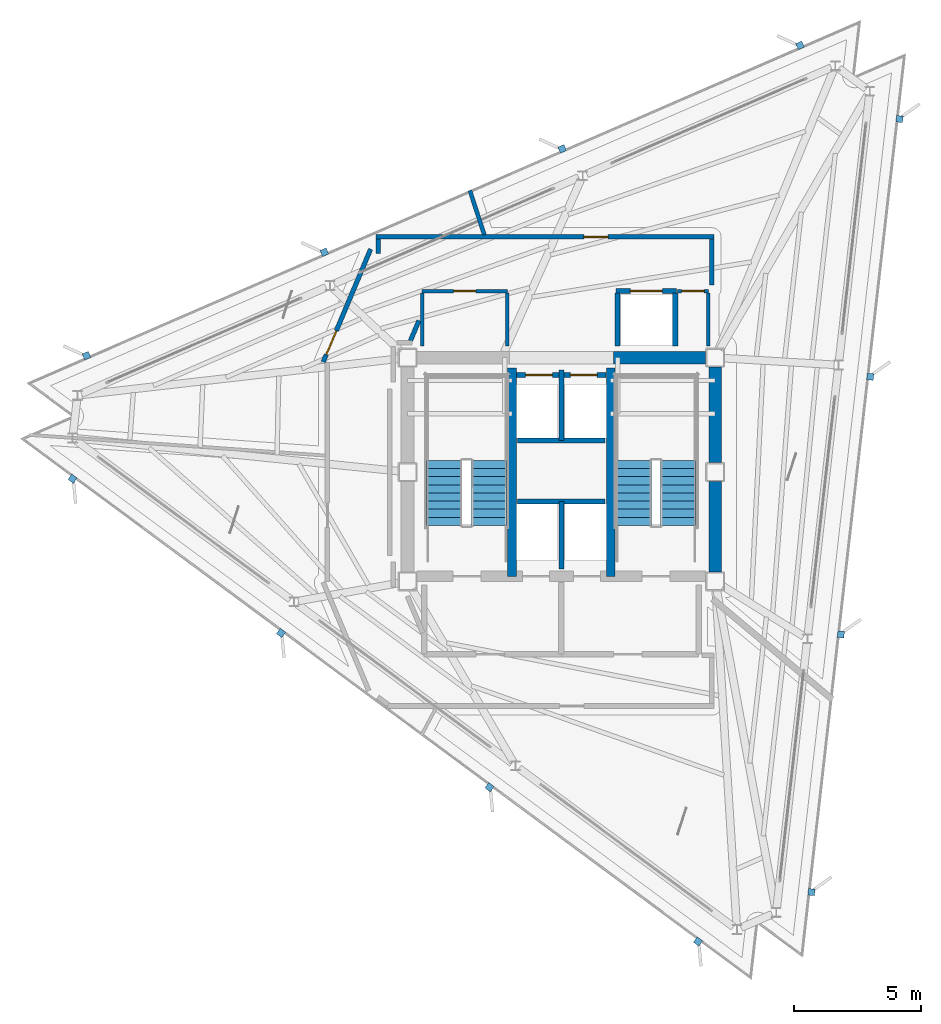
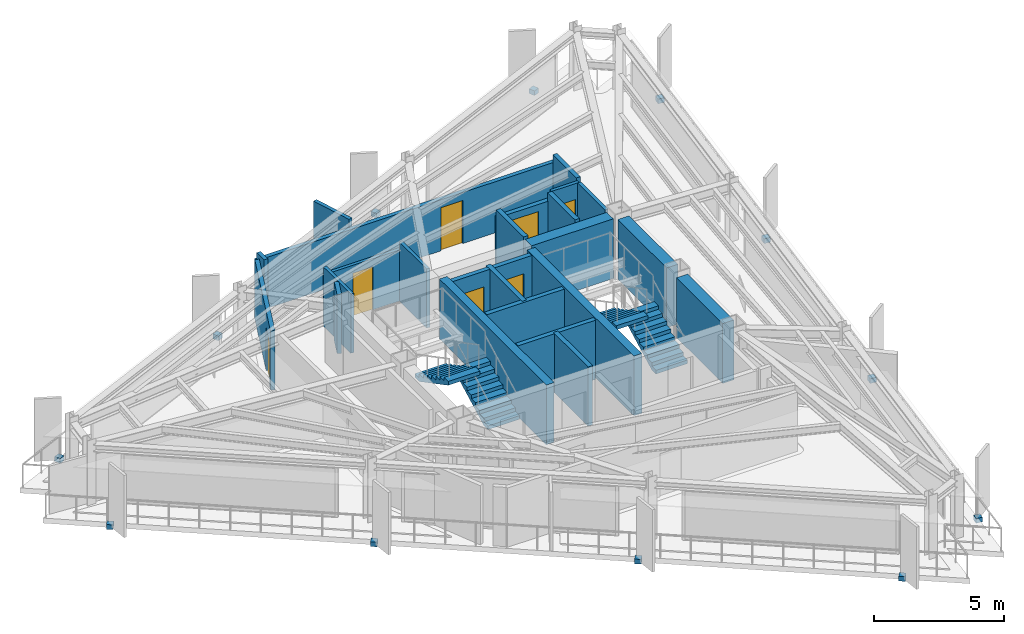
# One storey, part 6 of 9: 24 walls, 12 discrete accessories, 7 doors, 4 stair flights, 7 openings, 2 elements without a shape of their own.
"""IFC4 building model written with IfcOpenShell, lengths in metres."""

from ifc_helpers import new_model, si_unit, direction, frame, frame_2d, origin, origin_2d, place, context, subcontext, project, spatial, polyline, rectangle, outline, extrude, material, layer, layer_set, type_object, element, fill, aggregate, save


model = new_model("IFC4")

# Units and contexts
model_context = context("Model", 3, precision=1e-05, world=origin(), true_north=direction((0.0, 1.0)))
body_context = subcontext(model_context, "Body", "Model", "MODEL_VIEW")
ifc_project = project(units=[si_unit("LENGTHUNIT", "METRE"), si_unit("AREAUNIT", "SQUARE_METRE"), si_unit("VOLUMEUNIT", "CUBIC_METRE"), si_unit("PLANEANGLEUNIT", "RADIAN"), si_unit("MASSUNIT", "GRAM", prefix="KILO")], contexts=[model_context])

# Site, building, storey
site_placement = place(None, origin())
site = spatial("IfcSite", under=ifc_project, at=site_placement, CompositionType="ELEMENT")
building_placement = place(site_placement, origin())
building = spatial("IfcBuilding", under=site, at=building_placement, Name="Rocaltana Carrier Exchange", CompositionType="ELEMENT")
storey_placement = place(building_placement, frame((0.0, 0.0, 233.1201171875)))
storey = spatial("IfcBuildingStorey", under=building, at=storey_placement, Name="L74", CompositionType="ELEMENT", Elevation=233.1201171875)

# Walls
ifc_material_1 = material(Name="Double Acoustic Gypsum Partition", Category="gypsum")
ifc_layer_1 = layer(ifc_material_1, 0.159912109375)
ifc_layer_set_1 = layer_set([ifc_layer_1], Name="Double Acoustic Gypsum Partition")
wall_type_1 = type_object("IfcWallType", Name="Acoustic Studio Partition 160 EI60", PredefinedType="PARTITIONING", material=ifc_layer_set_1)
wall_1_placement = place(storey_placement, frame((-3.031494140625, 9.330078125, 0.0), z_axis=(0.0, 0.0, 1.0), x_axis=(-0.309047032626, 0.951046755751, 0.0)))
element("IfcWall", 1, at=wall_1_placement, inside=storey, type_object=wall_type_1, Name="L74 Suite Divider Wall D3", PredefinedType="PARTITIONING", context=body_context, shape_type="SweptSolid", body=[
    extrude(rectangle(XDim=1.83837890625, YDim=0.159912109375, at=frame_2d((0.919189453125, 0.0))), origin(), (0.0, 0.0, 1.0), 2.77294921875),
])
ifc_material_2 = material(Name="Concrete C50/60", Category="concrete")
ifc_layer_2 = layer(ifc_material_2, 0.35009765625)
ifc_layer_set_2 = layer_set([ifc_layer_2], Name="Concrete C50/60")
wall_type_2 = type_object("IfcWallType", Name="Core Internal Shear Wall 350", PredefinedType="SHEAR", material=ifc_layer_set_2)
for number, where, z_axis, x_axis, name in (
    (2, (-1.93994140625, -4.10009765625, 0.0), (0.0, 0.0, 1.0), (0.0, 1.0, 0.0), "L74 Core Shear Wall CW-STW"),
    (3, (1.93994140625, -4.10009765625, 0.0), (0.0, 0.0, 1.0), (0.0, 1.0, 0.0), "L74 Core Shear Wall CW-STE"),
):
    element("IfcWall", number, at=place(storey_placement, frame(where, z_axis=z_axis, x_axis=x_axis)), inside=storey, type_object=wall_type_2, Name=name, PredefinedType="SHEAR", context=body_context, shape_type="SweptSolid", body=[
        extrude(rectangle(XDim=8.2001953125, YDim=0.35009765625, at=frame_2d((4.10009765625, 0.0))), origin(), (0.0, 0.0, 1.0), 2.7978515625),
    ])
ifc_material_3 = material(Name="Concrete C50/60", Category="concrete")
ifc_layer_3 = layer(ifc_material_3, 0.5)
ifc_layer_set_3 = layer_set([ifc_layer_3], Name="Concrete C50/60")
wall_type_3 = type_object("IfcWallType", Name="Core Shear Wall 500", PredefinedType="SHEAR", material=ifc_layer_set_3)
wall_2_placement = place(storey_placement, frame((6.050048828125, 0.375, 0.0), z_axis=(0.0, 0.0, 1.0), x_axis=(0.0, 1.0, 0.0)))
element("IfcWall", 4, at=wall_2_placement, inside=storey, type_object=wall_type_3, Name="L74 Core Shear Wall CW-EN", PredefinedType="SHEAR", context=body_context, shape_type="SweptSolid", body=[
    extrude(rectangle(XDim=3.75, YDim=0.5, at=frame_2d((1.875, 0.0))), origin(), (0.0, 0.0, 1.0), 2.7978515625),
])
wall_3_placement = place(storey_placement, frame((6.050048828125, -3.925048828125, 0.0), z_axis=(0.0, 0.0, 1.0), x_axis=(0.0, 1.0, 0.0)))
element("IfcWall", 5, at=wall_3_placement, inside=storey, type_object=wall_type_3, Name="L74 Core Shear Wall CW-ES", PredefinedType="SHEAR", context=body_context, shape_type="SweptSolid", body=[
    extrude(rectangle(XDim=3.550048828125, YDim=0.5, at=frame_2d((1.77490234375, 0.0))), origin(), (0.0, 0.0, 1.0), 2.7978515625),
])
wall_4_placement = place(storey_placement, frame((2.050048828125, 4.5, 0.0), z_axis=(0.0, 0.0, 1.0), x_axis=(1.0, 0.0, 0.0)))
element("IfcWall", 6, at=wall_4_placement, inside=storey, type_object=wall_type_3, Name="L74 Core Shear Wall CW-N2", PredefinedType="SHEAR", context=body_context, shape_type="SweptSolid", body=[
    extrude(rectangle(XDim=3.625, YDim=0.5, at=frame_2d((1.8125, 0.0))), origin(), (0.0, 0.0, 1.0), 2.7978515625),
])

# Wall, opening, door
ifc_material_4 = material(Name="Gypsum & Steel Stud Partition", Category="steel")
ifc_layer_4 = layer(ifc_material_4, 0.179931640625)
ifc_layer_set_4 = layer_set([ifc_layer_4], Name="Gypsum & Steel Stud Partition")
wall_type_4 = type_object("IfcWallType", Name="Corridor Fire Partition 180 EI60", PredefinedType="PARTITIONING", material=ifc_layer_set_4)
wall_5_placement = place(storey_placement, frame((-9.36669921875, 4.331787109375, 0.0), z_axis=(0.0, 0.0, 1.0), x_axis=(0.387573945081, 0.921838617706, 0.0)))
wall_5 = element("IfcWall", 7, at=wall_5_placement, inside=storey, type_object=wall_type_4, Name="L74 Corridor Partition 3", PredefinedType="PARTITIONING", context=body_context, shape_type="SweptSolid", body=[
    extrude(rectangle(XDim=4.813232421875, YDim=0.179931640625, at=frame_2d((2.40673828125, 0.0))), origin(), (0.0, 0.0, 1.0), 2.77294921875),
])
opening_1_placement = place(wall_5_placement, frame((0.307373046875, 0.0, 0.0)))
opening_1 = element("IfcOpeningElement", 8, at=opening_1_placement, cuts=wall_5, Name="Opening D-LB104", PredefinedType="OPENING", context=body_context, shape_type="SweptSolid", body=[
    extrude(rectangle(XDim=1.02001953125, YDim=2.02001953125, at=frame_2d((0.510009765625, 1.010009765625))), frame((0.0, 0.099853515625, 0.0), z_axis=(0.0, -1.0, 0.0), x_axis=(1.0, 0.0, 0.0)), (0.0, 0.0, 1.0), 0.199951171875),
])
ifc_material_5 = material(Name="Powder-Coated Aluminium 6063-T6", Category="aluminium")
door_type_1 = type_object("IfcDoorType", Name="Laboratory Acoustic Door 1020x2020", OperationType="NOTDEFINED", PredefinedType="DOOR", material=ifc_material_5)
door_1_placement = place(opening_1_placement, origin())
door_1 = element("IfcDoor", 9, at=door_1_placement, inside=storey, type_object=door_type_1, Name="L74 Optical Switching Laboratory Entrance Door", OperationType="SINGLE_SWING_RIGHT", OverallHeight=2.02001953125, OverallWidth=1.02001953125, PredefinedType="DOOR", context=body_context, shape_type="SweptSolid", body=[
    extrude(rectangle(XDim=1.02001953125, YDim=2.02001953125, at=frame_2d((0.510009765625, 1.010009765625))), frame((0.0, 0.02490234375, 0.0), z_axis=(0.0, -1.0, 0.0), x_axis=(1.0, 0.0, 0.0)), (0.0, 0.0, 1.0), 0.050048828125),
])
fill(opening_1, door_1)

# Wall
wall_6_placement = place(storey_placement, frame((-7.199951171875, 8.6005859375, 0.0), z_axis=(0.0, 0.0, 1.0), x_axis=(0.0, 1.0, 0.0)))
element("IfcWall", 10, at=wall_6_placement, inside=storey, type_object=wall_type_4, Name="L74 Corridor Partition 4", PredefinedType="PARTITIONING", context=body_context, shape_type="SweptSolid", body=[
    extrude(rectangle(XDim=0.559326171875, YDim=0.179931640625, at=frame_2d((0.27978515625, 0.0))), origin(), (0.0, 0.0, 1.0), 2.77294921875),
])

# Wall, opening, door
wall_7_placement = place(storey_placement, frame((-7.2900390625, 9.25, 0.0), z_axis=(0.0, 0.0, 1.0), x_axis=(1.0, 0.0, 0.0)))
wall_7 = element("IfcWall", 11, at=wall_7_placement, inside=storey, type_object=wall_type_4, Name="L74 Corridor Partition 5", PredefinedType="PARTITIONING", context=body_context, shape_type="SweptSolid", body=[
    extrude(rectangle(XDim=13.300048828125, YDim=0.179931640625, at=frame_2d((6.64990234375, 0.0))), origin(), (0.0, 0.0, 1.0), 2.394775390625),
])
opening_2_placement = place(wall_7_placement, frame((8.17041015625, 0.0, 0.0)))
opening_2 = element("IfcOpeningElement", 12, at=opening_2_placement, cuts=wall_7, Name="Opening D-RM098", PredefinedType="OPENING", context=body_context, shape_type="SweptSolid", body=[
    extrude(rectangle(XDim=0.9599609375, YDim=2.02001953125, at=frame_2d((0.47998046875, 1.010009765625))), frame((0.0, 0.099853515625, 0.0), z_axis=(0.0, -1.0, 0.0), x_axis=(1.0, 0.0, 0.0)), (0.0, 0.0, 1.0), 0.199951171875),
])
ifc_material_6 = material(Name="Engineered Hardwood Timber", Category="wood")
door_type_2 = type_object("IfcDoorType", Name="Workspace Single Door 960x2020", OperationType="NOTDEFINED", PredefinedType="DOOR", material=ifc_material_6)
door_2_placement = place(opening_2_placement, origin())
door_2 = element("IfcDoor", 13, at=door_2_placement, inside=storey, type_object=door_type_2, Name="L74 Cloud Architecture Office Entrance Door", OperationType="SINGLE_SWING_LEFT", OverallHeight=2.02001953125, OverallWidth=0.9599609375, PredefinedType="DOOR", context=body_context, shape_type="SweptSolid", body=[
    extrude(rectangle(XDim=0.9599609375, YDim=2.02001953125, at=frame_2d((0.47998046875, 1.010009765625))), frame((0.0, 0.02490234375, 0.0), z_axis=(0.0, -1.0, 0.0), x_axis=(1.0, 0.0, 0.0)), (0.0, 0.0, 1.0), 0.050048828125),
])
fill(opening_2, door_2)

# Walls
wall_8_placement = place(storey_placement, frame((5.919921875, 9.159912109375, 0.0), z_axis=(0.0, 0.0, 1.0), x_axis=(0.0, -1.0, 0.0)))
element("IfcWall", 14, at=wall_8_placement, inside=storey, type_object=wall_type_4, Name="L74 Corridor Partition 6", PredefinedType="PARTITIONING", context=body_context, shape_type="SweptSolid", body=[
    extrude(rectangle(XDim=1.7998046875, YDim=0.179931640625, at=frame_2d((0.89990234375, 0.0))), origin(), (0.0, 0.0, 1.0), 2.77294921875),
])
wall_9_placement = place(storey_placement, frame((-5.602294921875, 5.9580078125, 0.0), z_axis=(0.0, 0.0, 1.0), x_axis=(-0.387588639363, -0.921832439566, 0.0)))
element("IfcWall", 15, at=wall_9_placement, inside=storey, type_object=wall_type_4, Name="L74 Corridor Partition 8", PredefinedType="PARTITIONING", context=body_context, shape_type="SweptSolid", body=[
    extrude(rectangle(XDim=0.8623046875, YDim=0.179931640625, at=frame_2d((0.43115234375, 0.0))), origin(), (0.0, 0.0, 1.0), 2.77294921875),
])
ifc_material_7 = material(Name="Reinforced Concrete Block C35/45", Category="concrete")
ifc_layer_5 = layer(ifc_material_7, 0.199951171875)
ifc_layer_set_5 = layer_set([ifc_layer_5], Name="Reinforced Concrete Block C35/45")
wall_type_5 = type_object("IfcWallType", Name="Lift Hoistway Enclosure Wall 200 EI120", PredefinedType="PARTITIONING", material=ifc_layer_set_5)
wall_10_placement = place(storey_placement, frame((0.0, -3.820068359375, 0.0), z_axis=(0.0, 0.0, 1.0), x_axis=(0.0, 1.0, 0.0)))
element("IfcWall", 16, at=wall_10_placement, inside=storey, type_object=wall_type_5, Name="L74 FFL Shaft Divider", PredefinedType="PARTITIONING", context=body_context, shape_type="SweptSolid", body=[
    extrude(rectangle(XDim=2.670166015625, YDim=0.199951171875, at=frame_2d((1.3349609375, 0.0))), origin(), (0.0, 0.0, 1.0), 2.77294921875),
])
wall_11_placement = place(storey_placement, frame((-1.719970703125, -1.14990234375, 0.0), z_axis=(0.0, 0.0, 1.0), x_axis=(1.0, 0.0, 0.0)))
element("IfcWall", 17, at=wall_11_placement, inside=storey, type_object=wall_type_5, Name="L74 FFL Shaft Back Wall", PredefinedType="PARTITIONING", context=body_context, shape_type="SweptSolid", body=[
    extrude(rectangle(XDim=3.43994140625, YDim=0.199951171875, at=frame_2d((1.719970703125, 0.0))), origin(), (0.0, 0.0, 1.0), 2.77294921875),
])
wall_12_placement = place(storey_placement, frame((0.0, 1.25, 0.0), z_axis=(0.0, 0.0, 1.0), x_axis=(0.0, 1.0, 0.0)))
element("IfcWall", 18, at=wall_12_placement, inside=storey, type_object=wall_type_5, Name="L74 High-Rise Shaft Divider", PredefinedType="PARTITIONING", context=body_context, shape_type="SweptSolid", body=[
    extrude(rectangle(XDim=2.77001953125, YDim=0.199951171875, at=frame_2d((1.385009765625, 0.0))), origin(), (0.0, 0.0, 1.0), 2.77294921875),
])
wall_13_placement = place(storey_placement, frame((-1.719970703125, 1.25, 0.0), z_axis=(0.0, 0.0, 1.0), x_axis=(1.0, 0.0, 0.0)))
element("IfcWall", 19, at=wall_13_placement, inside=storey, type_object=wall_type_5, Name="L74 High-Rise Shaft Back Wall", PredefinedType="PARTITIONING", context=body_context, shape_type="SweptSolid", body=[
    extrude(rectangle(XDim=3.43994140625, YDim=0.199951171875, at=frame_2d((1.719970703125, 0.0))), origin(), (0.0, 0.0, 1.0), 2.77294921875),
])

# Wall, openings, doors
wall_14_placement = place(storey_placement, frame((-1.760009765625, 3.820068359375, 0.0), z_axis=(0.0, 0.0, 1.0), x_axis=(1.0, 0.0, 0.0)))
wall_14 = element("IfcWall", 20, at=wall_14_placement, inside=storey, type_object=wall_type_5, Name="L74 High-Rise Lift Front Wall", PredefinedType="PARTITIONING", context=body_context, shape_type="SweptSolid", body=[
    extrude(rectangle(XDim=3.52001953125, YDim=0.199951171875, at=frame_2d((1.760009765625, 0.0))), origin(), (0.0, 0.0, 1.0), 2.77294921875),
])
opening_3_placement = place(wall_14_placement, frame((0.35009765625, 0.0, 0.0)))
opening_3 = element("IfcOpeningElement", 21, at=opening_3_placement, cuts=wall_14, Name="Opening LD-110", PredefinedType="OPENING", context=body_context, shape_type="SweptSolid", body=[
    extrude(rectangle(XDim=1.06005859375, YDim=2.0400390625, at=frame_2d((0.530029296875, 1.02001953125))), frame((0.0, 0.10986328125, 0.0), z_axis=(0.0, -1.0, 0.0), x_axis=(1.0, 0.0, 0.0)), (0.0, 0.0, 1.0), 0.219970703125),
])
opening_4_placement = place(wall_14_placement, frame((2.110107421875, 0.0, 0.0)))
opening_4 = element("IfcOpeningElement", 22, at=opening_4_placement, cuts=wall_14, Name="Opening LD-110", PredefinedType="OPENING", context=body_context, shape_type="SweptSolid", body=[
    extrude(rectangle(XDim=1.06005859375, YDim=2.0400390625, at=frame_2d((0.530029296875, 1.02001953125))), frame((0.0, 0.10986328125, 0.0), z_axis=(0.0, -1.0, 0.0), x_axis=(1.0, 0.0, 0.0)), (0.0, 0.0, 1.0), 0.219970703125),
])
ifc_material_8 = material(Name="Brushed Stainless Sliding Door Leaf", Category="steel")
door_type_3 = type_object("IfcDoorType", Name="Lift Landing Sliding Door 1060x2040", OperationType="NOTDEFINED", PredefinedType="DOOR", material=ifc_material_8)
door_3_placement = place(opening_3_placement, origin())
door_3 = element("IfcDoor", 23, at=door_3_placement, inside=storey, type_object=door_type_3, Name="L74 High-Rise Lift PLH1 Landing Door", OperationType="SLIDING_TO_LEFT", OverallHeight=2.0400390625, OverallWidth=1.06005859375, PredefinedType="DOOR", context=body_context, shape_type="SweptSolid", body=[
    extrude(rectangle(XDim=1.06005859375, YDim=2.0400390625, at=frame_2d((0.530029296875, 1.02001953125))), frame((0.0, 0.02490234375, 0.0), z_axis=(0.0, -1.0, 0.0), x_axis=(1.0, 0.0, 0.0)), (0.0, 0.0, 1.0), 0.050048828125),
])
fill(opening_3, door_3)
door_4_placement = place(opening_4_placement, origin())
door_4 = element("IfcDoor", 24, at=door_4_placement, inside=storey, type_object=door_type_3, Name="L74 High-Rise Lift PLH2 Landing Door", OperationType="SLIDING_TO_RIGHT", OverallHeight=2.0400390625, OverallWidth=1.06005859375, PredefinedType="DOOR", context=body_context, shape_type="SweptSolid", body=[
    extrude(rectangle(XDim=1.06005859375, YDim=2.0400390625, at=frame_2d((0.530029296875, 1.02001953125))), frame((0.0, 0.02490234375, 0.0), z_axis=(0.0, -1.0, 0.0), x_axis=(1.0, 0.0, 0.0)), (0.0, 0.0, 1.0), 0.050048828125),
])
fill(opening_4, door_4)

# Walls
for number, where, z_axis, x_axis, name in (
    (25, (2.199951171875, 4.949951171875, 0.0), (0.0, 0.0, 1.0), (0.0, 1.0, 0.0), "L74 Goods Lift West Wall"),
    (26, (4.47998046875, 4.949951171875, 0.0), (0.0, 0.0, 1.0), (0.0, 1.0, 0.0), "L74 Goods Lift East Wall"),
):
    element("IfcWall", number, at=place(storey_placement, frame(where, z_axis=z_axis, x_axis=x_axis)), inside=storey, type_object=wall_type_5, Name=name, PredefinedType="PARTITIONING", context=body_context, shape_type="SweptSolid", body=[
        extrude(rectangle(XDim=2.10009765625, YDim=0.199951171875, at=frame_2d((1.050048828125, 0.0))), origin(), (0.0, 0.0, 1.0), 2.77294921875),
    ])

# Wall, opening, door
wall_15_placement = place(storey_placement, frame((2.14990234375, 7.1201171875, 0.0), z_axis=(0.0, 0.0, 1.0), x_axis=(1.0, 0.0, 0.0)))
wall_15 = element("IfcWall", 27, at=wall_15_placement, inside=storey, type_object=wall_type_5, Name="L74 Goods Lift Front Wall", PredefinedType="PARTITIONING", context=body_context, shape_type="SweptSolid", body=[
    extrude(rectangle(XDim=2.380126953125, YDim=0.199951171875, at=frame_2d((1.18994140625, 0.0))), origin(), (0.0, 0.0, 1.0), 2.394775390625),
])
opening_5_placement = place(wall_15_placement, frame((0.56005859375, 0.0, 0.0)))
opening_5 = element("IfcOpeningElement", 28, at=opening_5_placement, cuts=wall_15, Name="Opening LD-130", PredefinedType="OPENING", context=body_context, shape_type="SweptSolid", body=[
    extrude(rectangle(XDim=1.260009765625, YDim=2.06005859375, at=frame_2d((0.6298828125, 1.030029296875))), frame((0.0, 0.10986328125, 0.0), z_axis=(0.0, -1.0, 0.0), x_axis=(1.0, 0.0, 0.0)), (0.0, 0.0, 1.0), 0.219970703125),
])
ifc_material_9 = material(Name="Brushed Stainless Sliding Door Leaf", Category="steel")
door_type_4 = type_object("IfcDoorType", Name="Goods Lift Landing Sliding Door 1260x2060", OperationType="NOTDEFINED", PredefinedType="DOOR", material=ifc_material_9)
door_5_placement = place(opening_5_placement, origin())
door_5 = element("IfcDoor", 29, at=door_5_placement, inside=storey, type_object=door_type_4, Name="L74 Goods Lift GL-1 Landing Door", OperationType="SLIDING_TO_LEFT", OverallHeight=2.06005859375, OverallWidth=1.260009765625, PredefinedType="DOOR", context=body_context, shape_type="SweptSolid", body=[
    extrude(rectangle(XDim=1.260009765625, YDim=2.06005859375, at=frame_2d((0.6298828125, 1.030029296875))), frame((0.0, 0.02490234375, 0.0), z_axis=(0.0, -1.0, 0.0), x_axis=(1.0, 0.0, 0.0)), (0.0, 0.0, 1.0), 0.050048828125),
])
fill(opening_5, door_5)

# Walls
ifc_material_10 = material(Name="Moisture-Resistant Masonry C30/37", Category="masonry")
ifc_layer_6 = layer(ifc_material_10, 0.139892578125)
ifc_layer_set_6 = layer_set([ifc_layer_6], Name="Moisture-Resistant Masonry C30/37")
wall_type_6 = type_object("IfcWallType", Name="Wet-Area Sanitary Partition 140", PredefinedType="PARTITIONING", material=ifc_layer_set_6)
for number, where, z_axis, x_axis, name in (
    (30, (-5.47998046875, 4.949951171875, 0.0), (0.0, 0.0, 1.0), (0.0, 1.0, 0.0), "L74 Sanitary West Wall"),
    (31, (-2.1201171875, 4.949951171875, 0.0), (0.0, 0.0, 1.0), (0.0, 1.0, 0.0), "L74 Sanitary East Wall"),
):
    element("IfcWall", number, at=place(storey_placement, frame(where, z_axis=z_axis, x_axis=x_axis)), inside=storey, type_object=wall_type_6, Name=name, PredefinedType="PARTITIONING", context=body_context, shape_type="SweptSolid", body=[
        extrude(rectangle(XDim=2.10009765625, YDim=0.139892578125, at=frame_2d((1.050048828125, 0.0))), origin(), (0.0, 0.0, 1.0), 2.77294921875),
    ])

# Wall, opening, door
wall_16_placement = place(storey_placement, frame((-5.47998046875, 7.1201171875, 0.0), z_axis=(0.0, 0.0, 1.0), x_axis=(1.0, 0.0, 0.0)))
wall_16 = element("IfcWall", 32, at=wall_16_placement, inside=storey, type_object=wall_type_6, Name="L74 Sanitary North Wall", PredefinedType="PARTITIONING", context=body_context, shape_type="SweptSolid", body=[
    extrude(rectangle(XDim=3.35986328125, YDim=0.139892578125, at=frame_2d((1.679931640625, 0.0))), origin(), (0.0, 0.0, 1.0), 2.394775390625),
])
opening_6_placement = place(wall_16_placement, frame((1.239990234375, 0.0, 0.0)))
opening_6 = element("IfcOpeningElement", 33, at=opening_6_placement, cuts=wall_16, Name="Opening D-WC090", PredefinedType="OPENING", context=body_context, shape_type="SweptSolid", body=[
    extrude(rectangle(XDim=0.8798828125, YDim=2.02001953125, at=frame_2d((0.43994140625, 1.010009765625))), frame((0.0, 0.079833984375, 0.0), z_axis=(0.0, -1.0, 0.0), x_axis=(1.0, 0.0, 0.0)), (0.0, 0.0, 1.0), 0.159912109375),
])
ifc_material_11 = material(Name="High-Pressure Laminate Timber", Category="wood")
door_type_5 = type_object("IfcDoorType", Name="Restroom & Accessible WC Door 880x2020", OperationType="NOTDEFINED", PredefinedType="DOOR", material=ifc_material_11)
door_6_placement = place(opening_6_placement, origin())
door_6 = element("IfcDoor", 34, at=door_6_placement, inside=storey, type_object=door_type_5, Name="L74 Accessible Toilet Door", OperationType="SINGLE_SWING_LEFT", OverallHeight=2.02001953125, OverallWidth=0.8798828125, PredefinedType="DOOR", context=body_context, shape_type="SweptSolid", body=[
    extrude(rectangle(XDim=0.8798828125, YDim=2.02001953125, at=frame_2d((0.43994140625, 1.010009765625))), frame((0.0, 0.02490234375, 0.0), z_axis=(0.0, -1.0, 0.0), x_axis=(1.0, 0.0, 0.0)), (0.0, 0.0, 1.0), 0.050048828125),
])
fill(opening_6, door_6)

# Wall
wall_17_placement = place(storey_placement, frame((5.780029296875, 4.949951171875, 0.0), z_axis=(0.0, 0.0, 1.0), x_axis=(0.0, 1.0, 0.0)))
element("IfcWall", 35, at=wall_17_placement, inside=storey, type_object=wall_type_6, Name="L74 Restroom East Wall", PredefinedType="PARTITIONING", context=body_context, shape_type="SweptSolid", body=[
    extrude(rectangle(XDim=2.10009765625, YDim=0.139892578125, at=frame_2d((1.050048828125, 0.0))), origin(), (0.0, 0.0, 1.0), 2.77294921875),
])

# Wall, opening, door
wall_18_placement = place(storey_placement, frame((4.56005859375, 7.1201171875, 0.0), z_axis=(0.0, 0.0, 1.0), x_axis=(1.0, 0.0, 0.0)))
wall_18 = element("IfcWall", 36, at=wall_18_placement, inside=storey, type_object=wall_type_6, Name="L74 Restroom North Wall", PredefinedType="PARTITIONING", context=body_context, shape_type="SweptSolid", body=[
    extrude(rectangle(XDim=1.219970703125, YDim=0.139892578125, at=frame_2d((0.60986328125, 0.0))), origin(), (0.0, 0.0, 1.0), 2.77294921875),
])
opening_7_placement = place(wall_18_placement, frame((0.169921875, 0.0, 0.0)))
opening_7 = element("IfcOpeningElement", 37, at=opening_7_placement, cuts=wall_18, Name="Opening D-WC090", PredefinedType="OPENING", context=body_context, shape_type="SweptSolid", body=[
    extrude(rectangle(XDim=0.8798828125, YDim=2.02001953125, at=frame_2d((0.43994140625, 1.010009765625))), frame((0.0, 0.079833984375, 0.0), z_axis=(0.0, -1.0, 0.0), x_axis=(1.0, 0.0, 0.0)), (0.0, 0.0, 1.0), 0.159912109375),
])
door_7_placement = place(opening_7_placement, origin())
door_7 = element("IfcDoor", 38, at=door_7_placement, inside=storey, type_object=door_type_5, Name="L74 Staff Restroom Door", OperationType="SINGLE_SWING_RIGHT", OverallHeight=2.02001953125, OverallWidth=0.8798828125, PredefinedType="DOOR", context=body_context, shape_type="SweptSolid", body=[
    extrude(rectangle(XDim=0.8798828125, YDim=2.02001953125, at=frame_2d((0.43994140625, 1.010009765625))), frame((0.0, 0.02490234375, 0.0), z_axis=(0.0, -1.0, 0.0), x_axis=(1.0, 0.0, 0.0)), (0.0, 0.0, 1.0), 0.050048828125),
])
fill(opening_7, door_7)

# Stair, stair flights
ifc_material_12 = material(Name="Precast concrete C45/55", Category="concrete")
stair_type = type_object("IfcStairType", Name="Standard Dog-Leg Stair 160", PredefinedType="HALF_TURN_STAIR", material=ifc_material_12)
stair_1_placement = place(storey_placement, origin())
stair_1 = element("IfcStair", 39, at=stair_1_placement, inside=storey, type_object=stair_type, Name="L74 Core West Exit Stair ST-1", PredefinedType="HALF_TURN_STAIR")
ifc_material_13 = material(Name="Precast concrete C45/55", Category="concrete")
stair_flight_type = type_object("IfcStairFlightType", Name="Precast Stair Flight 160", PredefinedType="STRAIGHT", material=ifc_material_13)
stair_flight_1_placement = place(storey_placement, frame((-2.840087890625, -2.10009765625, 0.0), z_axis=(0.0, 0.0, 1.0), x_axis=(0.0, 1.0, 0.0)))
stair_flight_1 = element("IfcStairFlight", 40, at=stair_flight_1_placement, type_object=stair_flight_type, Name="ST-1 flight 1", NumberOfRisers=9, NumberOfTreads=8, PredefinedType="STRAIGHT", RiserHeight=0.168888889, TreadLength=0.32, context=body_context, shape_type="SweptSolid", body=[
    extrude(outline(polyline([(0.0, 0.0), (0.0, 0.1689453125), (0.320068359375, 0.1689453125), (0.320068359375, 0.337890625), (0.639892578125, 0.337890625), (0.639892578125, 0.506591796875), (0.9599609375, 0.506591796875), (0.9599609375, 0.675537109375), (1.280029296875, 0.675537109375), (1.280029296875, 0.844482421875), (1.60009765625, 0.844482421875), (1.60009765625, 1.013427734375), (1.919921875, 1.013427734375), (1.919921875, 1.18212890625), (2.239990234375, 1.18212890625), (2.239990234375, 1.35107421875), (2.56005859375, 1.35107421875), (2.56005859375, 1.52001953125), (2.56005859375, 1.17041015625), (0.342529296875, 0.0), (0.0, 0.0)])), frame((0.0, 0.699951171875, 0.0), z_axis=(0.0, -1.0, 0.0), x_axis=(1.0, 0.0, 0.0)), (0.0, 0.0, 1.0), 1.39990234375),
])
stair_flight_2_placement = place(storey_placement, frame((-4.60009765625, 0.4599609375, 1.519775390625), z_axis=(0.0, 0.0, 1.0), x_axis=(0.0, -1.0, 0.0)))
stair_flight_2 = element("IfcStairFlight", 41, at=stair_flight_2_placement, type_object=stair_flight_type, Name="ST-1 flight 2", NumberOfRisers=9, NumberOfTreads=8, PredefinedType="STRAIGHT", RiserHeight=0.168888889, TreadLength=0.32, context=body_context, shape_type="SweptSolid", body=[
    extrude(outline(polyline([(0.0, 0.0), (0.0, 0.1689453125), (0.320068359375, 0.1689453125), (0.320068359375, 0.337890625), (0.639892578125, 0.337890625), (0.639892578125, 0.506591796875), (0.9599609375, 0.506591796875), (0.9599609375, 0.675537109375), (1.280029296875, 0.675537109375), (1.280029296875, 0.844482421875), (1.60009765625, 0.844482421875), (1.60009765625, 1.013427734375), (1.919921875, 1.013427734375), (1.919921875, 1.18212890625), (2.239990234375, 1.18212890625), (2.239990234375, 1.35107421875), (2.56005859375, 1.35107421875), (2.56005859375, 1.52001953125), (2.56005859375, 1.17041015625), (0.342529296875, 0.0), (0.0, 0.0)])), frame((0.0, 0.699951171875, 0.0), z_axis=(0.0, -1.0, 0.0), x_axis=(1.0, 0.0, 0.0)), (0.0, 0.0, 1.0), 1.39990234375),
])
aggregate(stair_1, [stair_flight_1, stair_flight_2])

stair_2_placement = place(storey_placement, origin())
stair_2 = element("IfcStair", 42, at=stair_2_placement, inside=storey, type_object=stair_type, Name="L74 Core East Exit Stair ST-2", PredefinedType="HALF_TURN_STAIR")
stair_flight_3_placement = place(storey_placement, frame((4.60009765625, -2.10009765625, 0.0), z_axis=(0.0, 0.0, 1.0), x_axis=(0.0, 1.0, 0.0)))
stair_flight_3 = element("IfcStairFlight", 43, at=stair_flight_3_placement, type_object=stair_flight_type, Name="ST-2 flight 1", NumberOfRisers=9, NumberOfTreads=8, PredefinedType="STRAIGHT", RiserHeight=0.168888889, TreadLength=0.32, context=body_context, shape_type="SweptSolid", body=[
    extrude(outline(polyline([(0.0, 0.0), (0.0, 0.1689453125), (0.320068359375, 0.1689453125), (0.320068359375, 0.337890625), (0.639892578125, 0.337890625), (0.639892578125, 0.506591796875), (0.9599609375, 0.506591796875), (0.9599609375, 0.675537109375), (1.280029296875, 0.675537109375), (1.280029296875, 0.844482421875), (1.60009765625, 0.844482421875), (1.60009765625, 1.013427734375), (1.919921875, 1.013427734375), (1.919921875, 1.18212890625), (2.239990234375, 1.18212890625), (2.239990234375, 1.35107421875), (2.56005859375, 1.35107421875), (2.56005859375, 1.52001953125), (2.56005859375, 1.17041015625), (0.342529296875, 0.0), (0.0, 0.0)])), frame((0.0, 0.699951171875, 0.0), z_axis=(0.0, -1.0, 0.0), x_axis=(1.0, 0.0, 0.0)), (0.0, 0.0, 1.0), 1.39990234375),
])
stair_flight_4_placement = place(storey_placement, frame((2.840087890625, 0.4599609375, 1.519775390625), z_axis=(0.0, 0.0, 1.0), x_axis=(0.0, -1.0, 0.0)))
stair_flight_4 = element("IfcStairFlight", 44, at=stair_flight_4_placement, type_object=stair_flight_type, Name="ST-2 flight 2", NumberOfRisers=9, NumberOfTreads=8, PredefinedType="STRAIGHT", RiserHeight=0.168888889, TreadLength=0.32, context=body_context, shape_type="SweptSolid", body=[
    extrude(outline(polyline([(0.0, 0.0), (0.0, 0.1689453125), (0.320068359375, 0.1689453125), (0.320068359375, 0.337890625), (0.639892578125, 0.337890625), (0.639892578125, 0.506591796875), (0.9599609375, 0.506591796875), (0.9599609375, 0.675537109375), (1.280029296875, 0.675537109375), (1.280029296875, 0.844482421875), (1.60009765625, 0.844482421875), (1.60009765625, 1.013427734375), (1.919921875, 1.013427734375), (1.919921875, 1.18212890625), (2.239990234375, 1.18212890625), (2.239990234375, 1.35107421875), (2.56005859375, 1.35107421875), (2.56005859375, 1.52001953125), (2.56005859375, 1.17041015625), (0.342529296875, 0.0), (0.0, 0.0)])), frame((0.0, 0.699951171875, 0.0), z_axis=(0.0, -1.0, 0.0), x_axis=(1.0, 0.0, 0.0)), (0.0, 0.0, 1.0), 1.39990234375),
])
aggregate(stair_2, [stair_flight_3, stair_flight_4])

# Discrete accessories
ifc_material_14 = material(Name="Brushed Architectural Stainless Metal", Category="steel")
ifc_layer_7 = layer(ifc_material_14, 0.219970703125)
ifc_layer_set_7 = layer_set([ifc_layer_7], Name="Brushed Architectural Stainless Metal")
discrete_accessory_type = type_object("IfcDiscreteAccessoryType", Name="Stainless Fin Slab-Edge Bracket 260x260x220", PredefinedType="BRACKET", material=ifc_layer_set_7)
for number, where, z_axis, x_axis, name in (
    (45, (9.837890625, -16.52001953125, -0.2099609375), (0.0, 0.0, 1.0), (0.113203213768, 0.993571855677, 0.0), "L74 Sandstone Fin Edge Bracket F1-01"),
    (46, (10.992431640625, -6.385498046875, -0.2099609375), (0.0, 0.0, 1.0), (0.113203213768, 0.993571855677, 0.0), "L74 Sandstone Fin Edge Bracket F1-02"),
    (47, (12.147216796875, 3.7490234375, -0.2099609375), (0.0, 0.0, 1.0), (0.113203213768, 0.993571855677, 0.0), "L74 Sandstone Fin Edge Bracket F1-03"),
    (48, (13.302001953125, 13.88330078125, -0.2099609375), (0.0, 0.0, 1.0), (0.113203213768, 0.993571855677, 0.0), "L74 Sandstone Fin Edge Bracket F1-04"),
    (49, (9.3876953125, 16.77978515625, -0.2099609375), (0.0, 0.0, 1.0), (-0.917060074385, -0.398749068925, 0.0), "L74 Sandstone Fin Edge Bracket F2-01"),
    (50, (0.03369140625, 12.71240234375, -0.2099609375), (0.0, 0.0, 1.0), (-0.917060074385, -0.398749068925, 0.0), "L74 Sandstone Fin Edge Bracket F2-02"),
    (51, (-9.3203125, 8.645263671875, -0.2099609375), (0.0, 0.0, 1.0), (-0.917060074385, -0.398749068925, 0.0), "L74 Sandstone Fin Edge Bracket F2-03"),
    (52, (-18.67431640625, 4.578125, -0.2099609375), (0.0, 0.0, 1.0), (-0.917060074385, -0.398749068925, 0.0), "L74 Sandstone Fin Edge Bracket F2-04"),
    (53, (-19.2255859375, -0.260009765625, -0.2099609375), (0.0, 0.0, 1.0), (0.803856860617, -0.594822786751, 0.0), "L74 Sandstone Fin Edge Bracket F3-01"),
    (54, (-11.026123046875, -6.3271484375, -0.2099609375), (0.0, 0.0, 1.0), (0.803856860617, -0.594822786751, 0.0), "L74 Sandstone Fin Edge Bracket F3-02"),
    (55, (-2.826904296875, -12.394287109375, -0.2099609375), (0.0, 0.0, 1.0), (0.803856860617, -0.594822786751, 0.0), "L74 Sandstone Fin Edge Bracket F3-03"),
    (56, (5.37255859375, -18.46142578125, -0.2099609375), (0.0, 0.0, 1.0), (0.803856860617, -0.594822786751, 0.0), "L74 Sandstone Fin Edge Bracket F3-04"),
):
    element("IfcDiscreteAccessory", number, at=place(storey_placement, frame(where, z_axis=z_axis, x_axis=x_axis)), inside=storey, type_object=discrete_accessory_type, Name=name, PredefinedType="BRACKET", context=body_context, shape_type="SweptSolid", body=[
        extrude(rectangle(XDim=0.260009765625, YDim=0.260009765625, at=origin_2d()), origin(), (0.0, 0.0, 1.0), 0.219970703125),
    ])

save(model, "model.ifc")
